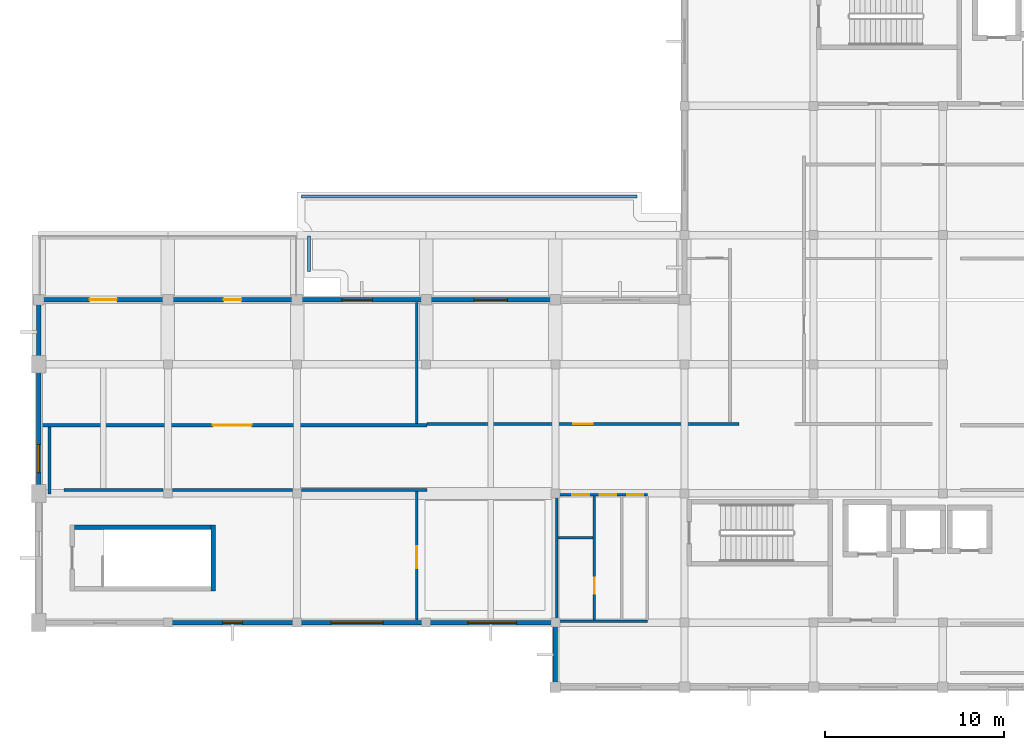
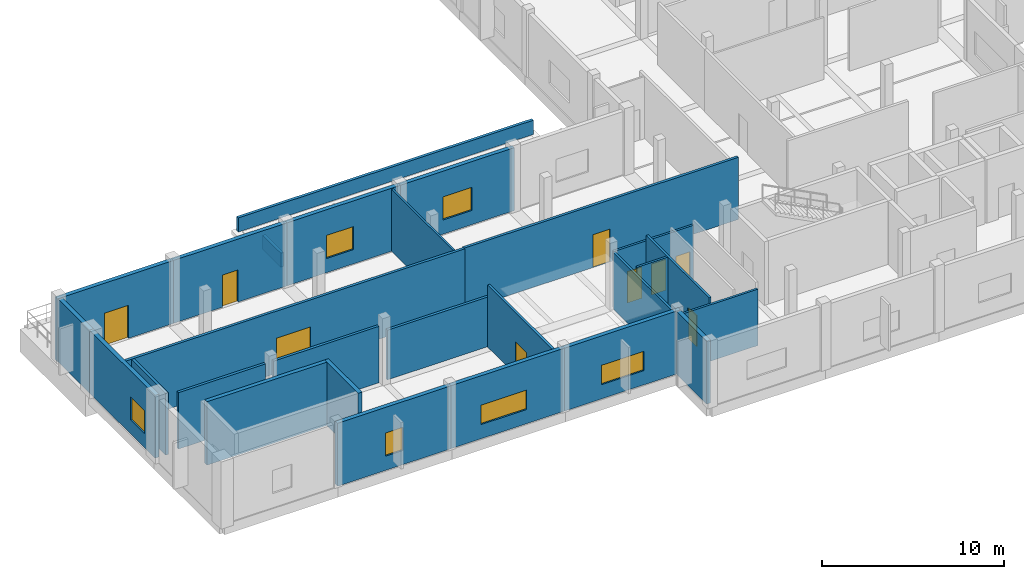
# One storey, part 3 of 9: 27 walls, 9 doors, 6 windows, 15 openings.
"""IFC4 building model written with IfcOpenShell, lengths in metres."""

from ifc_helpers import new_model, si_unit, direction, frame, frame_2d, origin, place, context, subcontext, project, spatial, rectangle, extrude, material, layer, layer_set, type_object, element, fill, save


model = new_model("IFC4")

# Units and contexts
model_context = context("Model", 3, precision=1e-05, world=origin(), true_north=direction((0.0, 1.0)))
body_context = subcontext(model_context, "Body", "Model", "MODEL_VIEW")
ifc_project = project(units=[si_unit("LENGTHUNIT", "METRE"), si_unit("AREAUNIT", "SQUARE_METRE"), si_unit("VOLUMEUNIT", "CUBIC_METRE"), si_unit("PLANEANGLEUNIT", "RADIAN"), si_unit("MASSUNIT", "GRAM", prefix="KILO")], contexts=[model_context])

# Site, building, storey
site_placement = place(None, origin())
site = spatial("IfcSite", under=ifc_project, at=site_placement, CompositionType="ELEMENT")
building_placement = place(site_placement, origin())
building = spatial("IfcBuilding", under=site, at=building_placement, Name="Seraya Terrace Polytechnic", CompositionType="ELEMENT")
storey_placement = place(building_placement, frame((0.0, 0.0, 32.39990234375)))
storey = spatial("IfcBuildingStorey", under=building, at=storey_placement, Name="L07", CompositionType="ELEMENT", Elevation=32.39990234375)

# Wall
ifc_material_1 = material(Name="Precast concrete C40/50", Category="concrete")
ifc_layer_1 = layer(ifc_material_1, 0.260009765625, Name="EW-03")
ifc_layer_set_1 = layer_set([ifc_layer_1], Name="Precast concrete C40/50")
wall_type_1 = type_object("IfcWallType", Name="EW-03", PredefinedType="SOLIDWALL", material=ifc_layer_set_1)
wall_1_placement = place(storey_placement, frame((72.0, 3.751953125, 0.0), z_axis=(0.0, 0.0, 1.0), x_axis=(0.0, 1.0, 0.0)))
element("IfcWall", 1, at=wall_1_placement, inside=storey, type_object=wall_type_1, Name="Exterior structural wall EW-03 L07", PredefinedType="SOLIDWALL", context=body_context, shape_type="SweptSolid", body=[
    extrude(rectangle(XDim=3.296142578125, YDim=0.260009765625, at=frame_2d((1.64794921875, 0.0))), origin(), (0.0, 0.0, 1.0), 4.22021484375),
])

# Wall, opening, window
wall_2_placement = place(storey_placement, frame((72.14990234375, 7.199951171875, 0.0), z_axis=(0.0, 0.0, 1.0), x_axis=(-1.0, 0.0, 0.0)))
wall_2 = element("IfcWall", 2, at=wall_2_placement, inside=storey, type_object=wall_type_1, Name="Exterior structural wall EW-03 L07", PredefinedType="SOLIDWALL", context=body_context, shape_type="SweptSolid", body=[
    extrude(rectangle(XDim=7.349853515625, YDim=0.260009765625, at=frame_2d((3.6748046875, 0.0))), origin(), (0.0, 0.0, 1.0), 4.22021484375),
])
opening_1_placement = place(wall_2_placement, frame((2.324951171875, 0.0, 0.949951171875)))
opening_1 = element("IfcOpeningElement", 3, at=opening_1_placement, cuts=wall_2, Name="Opening WN-11", PredefinedType="OPENING", context=body_context, shape_type="SweptSolid", body=[
    extrude(rectangle(XDim=2.699951171875, YDim=1.300048828125, at=frame_2d((1.35009765625, 0.64990234375))), frame((0.0, 0.14208984375, 0.0), z_axis=(0.0, -1.0, 0.0), x_axis=(1.0, 0.0, 0.0)), (0.0, 0.0, 1.0), 0.283935546875),
])
ifc_material_2 = material(Name="Laminated solar-control Low-E double glazing", Category="glass")
window_type_1 = type_object("IfcWindowType", Name="WN-11", PartitioningType="SINGLE_PANEL", PredefinedType="WINDOW", material=ifc_material_2)
window_1_placement = place(opening_1_placement, origin())
window_1 = element("IfcWindow", 4, at=window_1_placement, inside=storey, type_object=window_type_1, Name="Exterior window WN-11 L07", OverallHeight=1.300048828125, OverallWidth=2.699951171875, PartitioningType="SINGLE_PANEL", PredefinedType="WINDOW", context=body_context, shape_type="SweptSolid", body=[
    extrude(rectangle(XDim=2.699951171875, YDim=1.300048828125, at=frame_2d((1.35009765625, 0.64990234375))), frame((0.0, 0.030029296875, 0.0), z_axis=(0.0, -1.0, 0.0), x_axis=(1.0, 0.0, 0.0)), (0.0, 0.0, 1.0), 0.06005859375),
])
fill(opening_1, window_1)

wall_3_placement = place(storey_placement, frame((64.800048828125, 7.199951171875, 0.0), z_axis=(0.0, 0.0, 1.0), x_axis=(-1.0, 0.0, 0.0)))
wall_3 = element("IfcWall", 5, at=wall_3_placement, inside=storey, type_object=wall_type_1, Name="Exterior structural wall EW-03 L07", PredefinedType="SOLIDWALL", context=body_context, shape_type="SweptSolid", body=[
    extrude(rectangle(XDim=7.199951171875, YDim=0.260009765625, at=frame_2d((3.60009765625, 0.0))), origin(), (0.0, 0.0, 1.0), 4.22021484375),
])
opening_2_placement = place(wall_3_placement, frame((2.4033203125, 0.0, 0.949951171875)))
opening_2 = element("IfcOpeningElement", 6, at=opening_2_placement, cuts=wall_3, Name="Opening WN-12", PredefinedType="OPENING", context=body_context, shape_type="SweptSolid", body=[
    extrude(rectangle(XDim=2.89990234375, YDim=1.300048828125, at=frame_2d((1.449951171875, 0.64990234375))), frame((0.0, 0.14208984375, 0.0), z_axis=(0.0, -1.0, 0.0), x_axis=(1.0, 0.0, 0.0)), (0.0, 0.0, 1.0), 0.283935546875),
])
window_type_2 = type_object("IfcWindowType", Name="WN-12", PartitioningType="SINGLE_PANEL", PredefinedType="WINDOW", material=ifc_material_2)
window_2_placement = place(opening_2_placement, origin())
window_2 = element("IfcWindow", 7, at=window_2_placement, inside=storey, type_object=window_type_2, Name="Exterior window WN-12 L07", OverallHeight=1.300048828125, OverallWidth=2.89990234375, PartitioningType="SINGLE_PANEL", PredefinedType="WINDOW", context=body_context, shape_type="SweptSolid", body=[
    extrude(rectangle(XDim=2.89990234375, YDim=1.300048828125, at=frame_2d((1.449951171875, 0.64990234375))), frame((0.0, 0.030029296875, 0.0), z_axis=(0.0, -1.0, 0.0), x_axis=(1.0, 0.0, 0.0)), (0.0, 0.0, 1.0), 0.06005859375),
])
fill(opening_2, window_2)

wall_4_placement = place(storey_placement, frame((57.60009765625, 7.199951171875, 0.0), z_axis=(0.0, 0.0, 1.0), x_axis=(-1.0, 0.0, 0.0)))
wall_4 = element("IfcWall", 8, at=wall_4_placement, inside=storey, type_object=wall_type_1, Name="Exterior structural wall EW-03 L07", PredefinedType="SOLIDWALL", context=body_context, shape_type="SweptSolid", body=[
    extrude(rectangle(XDim=7.2001953125, YDim=0.260009765625, at=frame_2d((3.60009765625, 0.0))), origin(), (0.0, 0.0, 1.0), 4.22021484375),
])
opening_3_placement = place(wall_4_placement, frame((3.050048828125, 0.0, 0.949951171875)))
opening_3 = element("IfcOpeningElement", 9, at=opening_3_placement, cuts=wall_4, Name="Opening WN-13", PredefinedType="OPENING", context=body_context, shape_type="SweptSolid", body=[
    extrude(rectangle(XDim=1.10009765625, YDim=1.550048828125, at=frame_2d((0.550048828125, 0.77490234375))), frame((0.0, 0.14208984375, 0.0), z_axis=(0.0, -1.0, 0.0), x_axis=(1.0, 0.0, 0.0)), (0.0, 0.0, 1.0), 0.283935546875),
])
window_type_3 = type_object("IfcWindowType", Name="WN-13", PartitioningType="SINGLE_PANEL", PredefinedType="WINDOW", material=ifc_material_2)
window_3_placement = place(opening_3_placement, origin())
window_3 = element("IfcWindow", 10, at=window_3_placement, inside=storey, type_object=window_type_3, Name="Exterior window WN-13 L07", OverallHeight=1.550048828125, OverallWidth=1.10009765625, PartitioningType="SINGLE_PANEL", PredefinedType="WINDOW", context=body_context, shape_type="SweptSolid", body=[
    extrude(rectangle(XDim=1.10009765625, YDim=1.550048828125, at=frame_2d((0.550048828125, 0.77490234375))), frame((0.0, 0.030029296875, 0.0), z_axis=(0.0, -1.0, 0.0), x_axis=(1.0, 0.0, 0.0)), (0.0, 0.0, 1.0), 0.06005859375),
])
fill(opening_3, window_3)

wall_5_placement = place(storey_placement, frame((43.199951171875, 14.39990234375, 0.0), z_axis=(0.0, 0.0, 1.0), x_axis=(0.0, 1.0, 0.0)))
wall_5 = element("IfcWall", 11, at=wall_5_placement, inside=storey, type_object=wall_type_1, Name="Exterior structural wall EW-03 L07", PredefinedType="SOLIDWALL", context=body_context, shape_type="SweptSolid", body=[
    extrude(rectangle(XDim=7.2001953125, YDim=0.260009765625, at=frame_2d((3.60009765625, 0.0))), origin(), (0.0, 0.0, 1.0), 4.22021484375),
])
opening_4_placement = place(wall_5_placement, frame((1.1650390625, 0.0, 0.949951171875)))
opening_4 = element("IfcOpeningElement", 12, at=opening_4_placement, cuts=wall_5, Name="Opening WN-16", PredefinedType="OPENING", context=body_context, shape_type="SweptSolid", body=[
    extrude(rectangle(XDim=1.550048828125, YDim=1.550048828125, at=frame_2d((0.77490234375, 0.77490234375))), frame((0.0, 0.14208984375, 0.0), z_axis=(0.0, -1.0, 0.0), x_axis=(1.0, 0.0, 0.0)), (0.0, 0.0, 1.0), 0.283935546875),
])
window_type_4 = type_object("IfcWindowType", Name="WN-16", PartitioningType="SINGLE_PANEL", PredefinedType="WINDOW", material=ifc_material_2)
window_4_placement = place(opening_4_placement, origin())
window_4 = element("IfcWindow", 13, at=window_4_placement, inside=storey, type_object=window_type_4, Name="Exterior window WN-16 L07", OverallHeight=1.550048828125, OverallWidth=1.550048828125, PartitioningType="SINGLE_PANEL", PredefinedType="WINDOW", context=body_context, shape_type="SweptSolid", body=[
    extrude(rectangle(XDim=1.550048828125, YDim=1.550048828125, at=frame_2d((0.77490234375, 0.77490234375))), frame((0.0, 0.030029296875, 0.0), z_axis=(0.0, -1.0, 0.0), x_axis=(1.0, 0.0, 0.0)), (0.0, 0.0, 1.0), 0.06005859375),
])
fill(opening_4, window_4)

# Wall
wall_6_placement = place(storey_placement, frame((43.199951171875, 21.60009765625, 0.0), z_axis=(0.0, 0.0, 1.0), x_axis=(0.0, 1.0, 0.0)))
element("IfcWall", 14, at=wall_6_placement, inside=storey, type_object=wall_type_1, Name="Exterior structural wall EW-03 L07", PredefinedType="SOLIDWALL", context=body_context, shape_type="SweptSolid", body=[
    extrude(rectangle(XDim=3.433837890625, YDim=0.260009765625, at=frame_2d((1.716796875, 0.0))), origin(), (0.0, 0.0, 1.0), 4.22021484375),
])

# Wall, opening, door
wall_7_placement = place(storey_placement, frame((43.050048828125, 25.199951171875, 0.0), z_axis=(0.0, 0.0, 1.0), x_axis=(1.0, 0.0, 0.0)))
wall_7 = element("IfcWall", 15, at=wall_7_placement, inside=storey, type_object=wall_type_1, Name="Exterior structural wall EW-03 L07", PredefinedType="SOLIDWALL", context=body_context, shape_type="SweptSolid", body=[
    extrude(rectangle(XDim=7.349853515625, YDim=0.260009765625, at=frame_2d((3.6748046875, 0.0))), origin(), (0.0, 0.0, 1.0), 4.22021484375),
])
opening_5_placement = place(wall_7_placement, frame((2.989990234375, 0.0, 0.0)))
opening_5 = element("IfcOpeningElement", 16, at=opening_5_placement, cuts=wall_7, Name="Opening TD-04", PredefinedType="OPENING", context=body_context, shape_type="SweptSolid", body=[
    extrude(rectangle(XDim=1.52001953125, YDim=2.219970703125, at=frame_2d((0.760009765625, 1.10986328125))), frame((0.0, 0.14208984375, 0.0), z_axis=(0.0, -1.0, 0.0), x_axis=(1.0, 0.0, 0.0)), (0.0, 0.0, 1.0), 0.283935546875),
])
ifc_material_3 = material(Name="Anodised aluminium EN AW-6063 T6", Category="aluminium")
door_type_1 = type_object("IfcDoorType", Name="TD-04", OperationType="DOUBLE_DOOR_SINGLE_SWING", PredefinedType="DOOR", material=ifc_material_3)
door_1_placement = place(opening_5_placement, origin())
door_1 = element("IfcDoor", 17, at=door_1_placement, inside=storey, type_object=door_type_1, Name="Door TD-04 DR-TERR-L07-04-00 in WL-EXT-L07-04-00", OperationType="DOUBLE_DOOR_SINGLE_SWING", OverallHeight=2.219970703125, OverallWidth=1.52001953125, PredefinedType="DOOR", context=body_context, shape_type="SweptSolid", body=[
    extrude(rectangle(XDim=1.52001953125, YDim=2.219970703125, at=frame_2d((0.760009765625, 1.10986328125))), frame((0.0, 0.02490234375, 0.0), z_axis=(0.0, -1.0, 0.0), x_axis=(1.0, 0.0, 0.0)), (0.0, 0.0, 1.0), 0.050048828125),
])
fill(opening_5, door_1)

wall_8_placement = place(storey_placement, frame((50.39990234375, 25.199951171875, 0.0), z_axis=(0.0, 0.0, 1.0), x_axis=(1.0, 0.0, 0.0)))
wall_8 = element("IfcWall", 18, at=wall_8_placement, inside=storey, type_object=wall_type_1, Name="Exterior structural wall EW-03 L07", PredefinedType="SOLIDWALL", context=body_context, shape_type="SweptSolid", body=[
    extrude(rectangle(XDim=7.2001953125, YDim=0.260009765625, at=frame_2d((3.60009765625, 0.0))), origin(), (0.0, 0.0, 1.0), 4.22021484375),
])
opening_6_placement = place(wall_8_placement, frame((3.10009765625, 0.0, 0.0)))
opening_6 = element("IfcOpeningElement", 19, at=opening_6_placement, cuts=wall_8, Name="Opening TD-01", PredefinedType="OPENING", context=body_context, shape_type="SweptSolid", body=[
    extrude(rectangle(XDim=1.0, YDim=2.14990234375, at=frame_2d((0.5, 1.074951171875))), frame((0.0, 0.14208984375, 0.0), z_axis=(0.0, -1.0, 0.0), x_axis=(1.0, 0.0, 0.0)), (0.0, 0.0, 1.0), 0.283935546875),
])
door_type_2 = type_object("IfcDoorType", Name="TD-01", OperationType="NOTDEFINED", PredefinedType="DOOR", material=ifc_material_3)
door_2_placement = place(opening_6_placement, origin())
door_2 = element("IfcDoor", 20, at=door_2_placement, inside=storey, type_object=door_type_2, Name="Door TD-01 DR-TERR-L07-04-01 in WL-EXT-L07-04-01", OperationType="SINGLE_SWING_RIGHT", OverallHeight=2.14990234375, OverallWidth=1.0, PredefinedType="DOOR", context=body_context, shape_type="SweptSolid", body=[
    extrude(rectangle(XDim=1.0, YDim=2.14990234375, at=frame_2d((0.5, 1.074951171875))), frame((0.0, 0.02490234375, 0.0), z_axis=(0.0, -1.0, 0.0), x_axis=(1.0, 0.0, 0.0)), (0.0, 0.0, 1.0), 0.050048828125),
])
fill(opening_6, door_2)

# Wall, opening, window
wall_9_placement = place(storey_placement, frame((57.60009765625, 25.199951171875, 0.0), z_axis=(0.0, 0.0, 1.0), x_axis=(1.0, 0.0, 0.0)))
wall_9 = element("IfcWall", 21, at=wall_9_placement, inside=storey, type_object=wall_type_1, Name="Exterior structural wall EW-03 L07", PredefinedType="SOLIDWALL", context=body_context, shape_type="SweptSolid", body=[
    extrude(rectangle(XDim=7.199951171875, YDim=0.260009765625, at=frame_2d((3.60009765625, 0.0))), origin(), (0.0, 0.0, 1.0), 4.22021484375),
])
opening_7_placement = place(wall_9_placement, frame((2.49658203125, 0.0, 0.949951171875)))
opening_7 = element("IfcOpeningElement", 22, at=opening_7_placement, cuts=wall_9, Name="Opening WN-17", PredefinedType="OPENING", context=body_context, shape_type="SweptSolid", body=[
    extrude(rectangle(XDim=1.699951171875, YDim=1.550048828125, at=frame_2d((0.85009765625, 0.77490234375))), frame((0.0, 0.14208984375, 0.0), z_axis=(0.0, -1.0, 0.0), x_axis=(1.0, 0.0, 0.0)), (0.0, 0.0, 1.0), 0.283935546875),
])
window_type_5 = type_object("IfcWindowType", Name="WN-17", PartitioningType="SINGLE_PANEL", PredefinedType="WINDOW", material=ifc_material_2)
window_5_placement = place(opening_7_placement, origin())
window_5 = element("IfcWindow", 23, at=window_5_placement, inside=storey, type_object=window_type_5, Name="Exterior window WN-17 L07", OverallHeight=1.550048828125, OverallWidth=1.699951171875, PartitioningType="SINGLE_PANEL", PredefinedType="WINDOW", context=body_context, shape_type="SweptSolid", body=[
    extrude(rectangle(XDim=1.699951171875, YDim=1.550048828125, at=frame_2d((0.85009765625, 0.77490234375))), frame((0.0, 0.030029296875, 0.0), z_axis=(0.0, -1.0, 0.0), x_axis=(1.0, 0.0, 0.0)), (0.0, 0.0, 1.0), 0.06005859375),
])
fill(opening_7, window_5)

wall_10_placement = place(storey_placement, frame((64.800048828125, 25.199951171875, 0.0), z_axis=(0.0, 0.0, 1.0), x_axis=(1.0, 0.0, 0.0)))
wall_10 = element("IfcWall", 24, at=wall_10_placement, inside=storey, type_object=wall_type_1, Name="Exterior structural wall EW-03 L07", PredefinedType="SOLIDWALL", context=body_context, shape_type="SweptSolid", body=[
    extrude(rectangle(XDim=7.199951171875, YDim=0.260009765625, at=frame_2d((3.60009765625, 0.0))), origin(), (0.0, 0.0, 1.0), 4.22021484375),
])
opening_8_placement = place(wall_10_placement, frame((2.675048828125, 0.0, 0.949951171875)))
opening_8 = element("IfcOpeningElement", 25, at=opening_8_placement, cuts=wall_10, Name="Opening WN-18", PredefinedType="OPENING", context=body_context, shape_type="SweptSolid", body=[
    extrude(rectangle(XDim=1.85009765625, YDim=1.550048828125, at=frame_2d((0.925048828125, 0.77490234375))), frame((0.0, 0.14208984375, 0.0), z_axis=(0.0, -1.0, 0.0), x_axis=(1.0, 0.0, 0.0)), (0.0, 0.0, 1.0), 0.283935546875),
])
window_type_6 = type_object("IfcWindowType", Name="WN-18", PartitioningType="SINGLE_PANEL", PredefinedType="WINDOW", material=ifc_material_2)
window_6_placement = place(opening_8_placement, origin())
window_6 = element("IfcWindow", 26, at=window_6_placement, inside=storey, type_object=window_type_6, Name="Exterior window WN-18 L07", OverallHeight=1.550048828125, OverallWidth=1.85009765625, PartitioningType="SINGLE_PANEL", PredefinedType="WINDOW", context=body_context, shape_type="SweptSolid", body=[
    extrude(rectangle(XDim=1.85009765625, YDim=1.550048828125, at=frame_2d((0.925048828125, 0.77490234375))), frame((0.0, 0.030029296875, 0.0), z_axis=(0.0, -1.0, 0.0), x_axis=(1.0, 0.0, 0.0)), (0.0, 0.0, 1.0), 0.06005859375),
])
fill(opening_8, window_6)

# Wall, opening, door
ifc_material_4 = material(Name="Autoclaved aerated concrete blockwork", Category="masonry")
ifc_layer_2 = layer(ifc_material_4, 0.169921875, Name="PT-02")
ifc_layer_set_2 = layer_set([ifc_layer_2], Name="Autoclaved aerated concrete blockwork")
wall_type_2 = type_object("IfcWallType", Name="PT-02", PredefinedType="PARTITIONING", material=ifc_layer_set_2)
wall_11_placement = place(storey_placement, frame((43.342041015625, 18.199951171875, 0.0), z_axis=(0.0, 0.0, 1.0), x_axis=(1.0, 0.0, 0.0)))
wall_11 = element("IfcWall", 27, at=wall_11_placement, inside=storey, type_object=wall_type_2, Name="Internal partition PT-02 L07", PredefinedType="PARTITIONING", context=body_context, shape_type="SweptSolid", body=[
    extrude(rectangle(XDim=21.502685546875, YDim=0.169921875, at=frame_2d((10.75146484375, 0.0))), origin(), (0.0, 0.0, 1.0), 4.16015625),
])
opening_9_placement = place(wall_11_placement, frame((9.5625, 0.0, 0.0)))
opening_9 = element("IfcOpeningElement", 28, at=opening_9_placement, cuts=wall_11, Name="Opening ID-18", PredefinedType="OPENING", context=body_context, shape_type="SweptSolid", body=[
    extrude(rectangle(XDim=2.159912109375, YDim=2.35009765625, at=frame_2d((1.080078125, 1.175048828125))), frame((0.0, 0.096923828125, 0.0), z_axis=(0.0, -1.0, 0.0), x_axis=(1.0, 0.0, 0.0)), (0.0, 0.0, 1.0), 0.19384765625),
])
ifc_material_5 = material(Name="Malaysian dark red meranti hardwood timber D40", Category="wood")
door_type_3 = type_object("IfcDoorType", Name="ID-18", OperationType="DOUBLE_DOOR_SINGLE_SWING", PredefinedType="DOOR", material=ifc_material_5)
door_3_placement = place(opening_9_placement, frame((2.159912109375, 0.0, 0.0), z_axis=(0.0, 0.0, 1.0), x_axis=(-1.0, 0.0, 0.0)))
door_3 = element("IfcDoor", 29, at=door_3_placement, inside=storey, type_object=door_type_3, Name="Door ID-18 DR-INT-L07-0271 in WL-INT-L07-0779", OperationType="DOUBLE_DOOR_SINGLE_SWING", OverallHeight=2.35009765625, OverallWidth=2.159912109375, PredefinedType="DOOR", context=body_context, shape_type="SweptSolid", body=[
    extrude(rectangle(XDim=2.159912109375, YDim=2.35009765625, at=frame_2d((1.080078125, 1.175048828125))), frame((0.0, 0.02490234375, 0.0), z_axis=(0.0, -1.0, 0.0), x_axis=(1.0, 0.0, 0.0)), (0.0, 0.0, 1.0), 0.050048828125),
])
fill(opening_9, door_3)

# Walls
wall_12_placement = place(storey_placement, frame((57.860107421875, 14.60009765625, 0.0), z_axis=(0.0, 0.0, 1.0), x_axis=(1.0, 0.0, 0.0)))
element("IfcWall", 30, at=wall_12_placement, inside=storey, type_object=wall_type_2, Name="Internal partition PT-02 L07", PredefinedType="PARTITIONING", context=body_context, shape_type="SweptSolid", body=[
    extrude(rectangle(XDim=6.984619140625, YDim=0.169921875, at=frame_2d((3.4921875, 0.0))), origin(), (0.0, 0.0, 1.0), 3.330078125),
])
wall_13_placement = place(storey_placement, frame((50.659912109375, 14.60009765625, 0.0), z_axis=(0.0, 0.0, 1.0), x_axis=(1.0, 0.0, 0.0)))
element("IfcWall", 31, at=wall_13_placement, inside=storey, type_object=wall_type_2, Name="Internal partition PT-02 L07", PredefinedType="PARTITIONING", context=body_context, shape_type="SweptSolid", body=[
    extrude(rectangle(XDim=6.68017578125, YDim=0.169921875, at=frame_2d((3.340087890625, 0.0))), origin(), (0.0, 0.0, 1.0), 3.780029296875),
])
wall_14_placement = place(storey_placement, frame((44.618408203125, 14.60009765625, 0.0), z_axis=(0.0, 0.0, 1.0), x_axis=(1.0, 0.0, 0.0)))
element("IfcWall", 32, at=wall_14_placement, inside=storey, type_object=wall_type_2, Name="Internal partition PT-02 L07", PredefinedType="PARTITIONING", context=body_context, shape_type="SweptSolid", body=[
    extrude(rectangle(XDim=5.521484375, YDim=0.169921875, at=frame_2d((2.7607421875, 0.0))), origin(), (0.0, 0.0, 1.0), 3.780029296875),
])
wall_15_placement = place(storey_placement, frame((43.800048828125, 14.360107421875, 0.0), z_axis=(0.0, 0.0, 1.0), x_axis=(0.0, 1.0, 0.0)))
element("IfcWall", 33, at=wall_15_placement, inside=storey, type_object=wall_type_2, Name="Internal partition PT-02 L07", PredefinedType="PARTITIONING", context=body_context, shape_type="SweptSolid", body=[
    extrude(rectangle(XDim=3.739990234375, YDim=0.169921875, at=frame_2d((1.8701171875, 0.0))), origin(), (0.0, 0.0, 1.0), 4.16015625),
])

# Wall, opening, door
wall_16_placement = place(storey_placement, frame((64.8447265625, 18.27001953125, 0.0), z_axis=(0.0, 0.0, 1.0), x_axis=(1.0, 0.0, 0.0)))
wall_16 = element("IfcWall", 34, at=wall_16_placement, inside=storey, type_object=wall_type_2, Name="Internal partition PT-02 L07", PredefinedType="PARTITIONING", context=body_context, shape_type="SweptSolid", body=[
    extrude(rectangle(XDim=17.388916015625, YDim=0.169921875, at=frame_2d((8.6943359375, 0.0))), origin(), (0.0, 0.0, 1.0), 4.16015625),
])
opening_10_placement = place(wall_16_placement, frame((8.154296875, 0.0, 0.0)))
opening_10 = element("IfcOpeningElement", 35, at=opening_10_placement, cuts=wall_16, Name="Opening ID-05", PredefinedType="OPENING", context=body_context, shape_type="SweptSolid", body=[
    extrude(rectangle(XDim=1.080078125, YDim=2.199951171875, at=frame_2d((0.5400390625, 1.10009765625))), frame((0.0, 0.096923828125, 0.0), z_axis=(0.0, -1.0, 0.0), x_axis=(1.0, 0.0, 0.0)), (0.0, 0.0, 1.0), 0.19384765625),
])
door_type_4 = type_object("IfcDoorType", Name="ID-05", OperationType="NOTDEFINED", PredefinedType="DOOR", material=ifc_material_5)
door_4_placement = place(opening_10_placement, origin())
door_4 = element("IfcDoor", 36, at=door_4_placement, inside=storey, type_object=door_type_4, Name="Door ID-05 DR-INT-L07-0274 in WL-INT-L07-0784", OperationType="SINGLE_SWING_LEFT", OverallHeight=2.199951171875, OverallWidth=1.080078125, PredefinedType="DOOR", context=body_context, shape_type="SweptSolid", body=[
    extrude(rectangle(XDim=1.080078125, YDim=2.199951171875, at=frame_2d((0.5400390625, 1.10009765625))), frame((0.0, 0.02490234375, 0.0), z_axis=(0.0, -1.0, 0.0), x_axis=(1.0, 0.0, 0.0)), (0.0, 0.0, 1.0), 0.050048828125),
])
fill(opening_10, door_4)

ifc_layer_3 = layer(ifc_material_4, 0.14990234375, Name="PT-03")
ifc_layer_set_3 = layer_set([ifc_layer_3], Name="Autoclaved aerated concrete blockwork")
wall_type_3 = type_object("IfcWallType", Name="PT-03", PredefinedType="PARTITIONING", material=ifc_layer_set_3)
wall_17_placement = place(storey_placement, frame((64.273193359375, 7.342041015625, 0.0), z_axis=(0.0, 0.0, 1.0), x_axis=(0.0, 1.0, 0.0)))
wall_17 = element("IfcWall", 37, at=wall_17_placement, inside=storey, type_object=wall_type_3, Name="Internal partition PT-03 L07", PredefinedType="PARTITIONING", context=body_context, shape_type="SweptSolid", body=[
    extrude(rectangle(XDim=7.157958984375, YDim=0.14990234375, at=frame_2d((3.5791015625, 0.0))), origin(), (0.0, 0.0, 1.0), 4.16015625),
])
opening_11_placement = place(wall_17_placement, frame((2.885009765625, 0.0, 0.0)))
opening_11 = element("IfcOpeningElement", 38, at=opening_11_placement, cuts=wall_17, Name="Opening ID-07", PredefinedType="OPENING", context=body_context, shape_type="SweptSolid", body=[
    extrude(rectangle(XDim=1.219970703125, YDim=2.219970703125, at=frame_2d((0.60986328125, 1.10986328125))), frame((0.0, 0.0869140625, 0.0), z_axis=(0.0, -1.0, 0.0), x_axis=(1.0, 0.0, 0.0)), (0.0, 0.0, 1.0), 0.173828125),
])
door_type_5 = type_object("IfcDoorType", Name="ID-07", OperationType="NOTDEFINED", PredefinedType="DOOR", material=ifc_material_5)
door_5_placement = place(opening_11_placement, origin())
door_5 = element("IfcDoor", 39, at=door_5_placement, inside=storey, type_object=door_type_5, Name="Door ID-07 DR-INT-L07-0276 in WL-INT-L07-0796", OperationType="SINGLE_SWING_LEFT", OverallHeight=2.219970703125, OverallWidth=1.219970703125, PredefinedType="DOOR", context=body_context, shape_type="SweptSolid", body=[
    extrude(rectangle(XDim=1.219970703125, YDim=2.219970703125, at=frame_2d((0.60986328125, 1.10986328125))), frame((0.0, 0.02490234375, 0.0), z_axis=(0.0, -1.0, 0.0), x_axis=(1.0, 0.0, 0.0)), (0.0, 0.0, 1.0), 0.050048828125),
])
fill(opening_11, door_5)

# Wall
ifc_layer_4 = layer(ifc_material_4, 0.139892578125, Name="PT-04")
ifc_layer_set_4 = layer_set([ifc_layer_4], Name="Autoclaved aerated concrete blockwork")
wall_type_4 = type_object("IfcWallType", Name="PT-04", PredefinedType="PARTITIONING", material=ifc_layer_set_4)
wall_18_placement = place(storey_placement, frame((72.070068359375, 7.27001953125, 0.0), z_axis=(0.0, 0.0, 1.0), x_axis=(1.0, 0.0, 0.0)))
element("IfcWall", 40, at=wall_18_placement, inside=storey, type_object=wall_type_4, Name="Sanitary WC-A South wall L07", PredefinedType="PARTITIONING", context=body_context, shape_type="SweptSolid", body=[
    extrude(rectangle(XDim=5.059814453125, YDim=0.139892578125, at=frame_2d((2.52978515625, 0.0))), origin(), (0.0, 0.0, 1.0), 3.780029296875),
])

# Wall, openings, doors
wall_19_placement = place(storey_placement, frame((72.070068359375, 14.330078125, 0.0), z_axis=(0.0, 0.0, 1.0), x_axis=(1.0, 0.0, 0.0)))
wall_19 = element("IfcWall", 41, at=wall_19_placement, inside=storey, type_object=wall_type_4, Name="Sanitary WC-A North wall L07", PredefinedType="PARTITIONING", context=body_context, shape_type="SweptSolid", body=[
    extrude(rectangle(XDim=5.059814453125, YDim=0.139892578125, at=frame_2d((2.52978515625, 0.0))), origin(), (0.0, 0.0, 1.0), 3.780029296875),
])
opening_12_placement = place(wall_19_placement, frame((0.8798828125, 0.0, 0.0)))
opening_12 = element("IfcOpeningElement", 42, at=opening_12_placement, cuts=wall_19, Name="Opening ID-01", PredefinedType="OPENING", context=body_context, shape_type="SweptSolid", body=[
    extrude(rectangle(XDim=0.93994140625, YDim=2.10009765625, at=frame_2d((0.469970703125, 1.050048828125))), frame((0.0, 0.08203125, 0.0), z_axis=(0.0, -1.0, 0.0), x_axis=(1.0, 0.0, 0.0)), (0.0, 0.0, 1.0), 0.163818359375),
])
opening_13_placement = place(wall_19_placement, frame((2.4150390625, 0.0, 0.0)))
opening_13 = element("IfcOpeningElement", 43, at=opening_13_placement, cuts=wall_19, Name="Opening ID-02", PredefinedType="OPENING", context=body_context, shape_type="SweptSolid", body=[
    extrude(rectangle(XDim=0.89990234375, YDim=2.080078125, at=frame_2d((0.449951171875, 1.0400390625))), frame((0.0, 0.08203125, 0.0), z_axis=(0.0, -1.0, 0.0), x_axis=(1.0, 0.0, 0.0)), (0.0, 0.0, 1.0), 0.163818359375),
])
opening_14_placement = place(wall_19_placement, frame((3.925048828125, 0.0, 0.0)))
opening_14 = element("IfcOpeningElement", 44, at=opening_14_placement, cuts=wall_19, Name="Opening ID-02", PredefinedType="OPENING", context=body_context, shape_type="SweptSolid", body=[
    extrude(rectangle(XDim=0.89990234375, YDim=2.080078125, at=frame_2d((0.449951171875, 1.0400390625))), frame((0.0, 0.08203125, 0.0), z_axis=(0.0, -1.0, 0.0), x_axis=(1.0, 0.0, 0.0)), (0.0, 0.0, 1.0), 0.163818359375),
])
door_type_6 = type_object("IfcDoorType", Name="ID-01", OperationType="NOTDEFINED", PredefinedType="DOOR", material=ifc_material_5)
door_6_placement = place(opening_12_placement, origin())
door_6 = element("IfcDoor", 45, at=door_6_placement, inside=storey, type_object=door_type_6, Name="Door ID-01 DR-WC-WC-A-L07-OKU in WL-WC-WC-A-L07-N", OperationType="SINGLE_SWING_LEFT", OverallHeight=2.10009765625, OverallWidth=0.93994140625, PredefinedType="DOOR", context=body_context, shape_type="SweptSolid", body=[
    extrude(rectangle(XDim=0.93994140625, YDim=2.10009765625, at=frame_2d((0.469970703125, 1.050048828125))), frame((0.0, 0.02490234375, 0.0), z_axis=(0.0, -1.0, 0.0), x_axis=(1.0, 0.0, 0.0)), (0.0, 0.0, 1.0), 0.050048828125),
])
fill(opening_12, door_6)
door_type_7 = type_object("IfcDoorType", Name="ID-02", OperationType="NOTDEFINED", PredefinedType="DOOR", material=ifc_material_5)
door_7_placement = place(opening_13_placement, frame((0.89990234375, 0.0, 0.0), z_axis=(0.0, 0.0, 1.0), x_axis=(-1.0, 0.0, 0.0)))
door_7 = element("IfcDoor", 46, at=door_7_placement, inside=storey, type_object=door_type_7, Name="Door ID-02 DR-WC-WC-A-L07-M in WL-WC-WC-A-L07-N", OperationType="SINGLE_SWING_RIGHT", OverallHeight=2.080078125, OverallWidth=0.89990234375, PredefinedType="DOOR", context=body_context, shape_type="SweptSolid", body=[
    extrude(rectangle(XDim=0.89990234375, YDim=2.080078125, at=frame_2d((0.449951171875, 1.0400390625))), frame((0.0, 0.02490234375, 0.0), z_axis=(0.0, -1.0, 0.0), x_axis=(1.0, 0.0, 0.0)), (0.0, 0.0, 1.0), 0.050048828125),
])
fill(opening_13, door_7)
door_8_placement = place(opening_14_placement, frame((0.89990234375, 0.0, 0.0), z_axis=(0.0, 0.0, 1.0), x_axis=(-1.0, 0.0, 0.0)))
door_8 = element("IfcDoor", 47, at=door_8_placement, inside=storey, type_object=door_type_7, Name="Door ID-02 DR-WC-WC-A-L07-F in WL-WC-WC-A-L07-N", OperationType="SINGLE_SWING_LEFT", OverallHeight=2.080078125, OverallWidth=0.89990234375, PredefinedType="DOOR", context=body_context, shape_type="SweptSolid", body=[
    extrude(rectangle(XDim=0.89990234375, YDim=2.080078125, at=frame_2d((0.449951171875, 1.0400390625))), frame((0.0, 0.02490234375, 0.0), z_axis=(0.0, -1.0, 0.0), x_axis=(1.0, 0.0, 0.0)), (0.0, 0.0, 1.0), 0.050048828125),
])
fill(opening_14, door_8)

# Wall
wall_20_placement = place(storey_placement, frame((72.070068359375, 7.35009765625, 0.0), z_axis=(0.0, 0.0, 1.0), x_axis=(0.0, 1.0, 0.0)))
element("IfcWall", 48, at=wall_20_placement, inside=storey, type_object=wall_type_4, Name="Sanitary WC-A West wall L07", PredefinedType="PARTITIONING", context=body_context, shape_type="SweptSolid", body=[
    extrude(rectangle(XDim=6.89990234375, YDim=0.139892578125, at=frame_2d((3.449951171875, 0.0))), origin(), (0.0, 0.0, 1.0), 3.780029296875),
])

# Wall, opening, door
wall_21_placement = place(storey_placement, frame((74.179931640625, 7.35009765625, 0.0), z_axis=(0.0, 0.0, 1.0), x_axis=(0.0, 1.0, 0.0)))
wall_21 = element("IfcWall", 49, at=wall_21_placement, inside=storey, type_object=wall_type_4, Name="Sanitary WC-A OKU/Male divider L07", PredefinedType="PARTITIONING", context=body_context, shape_type="SweptSolid", body=[
    extrude(rectangle(XDim=6.89990234375, YDim=0.139892578125, at=frame_2d((3.449951171875, 0.0))), origin(), (0.0, 0.0, 1.0), 4.16015625),
])
opening_15_placement = place(wall_21_placement, frame((1.449951171875, 0.0, 0.0)))
opening_15 = element("IfcOpeningElement", 50, at=opening_15_placement, cuts=wall_21, Name="Opening ID-02", PredefinedType="OPENING", context=body_context, shape_type="SweptSolid", body=[
    extrude(rectangle(XDim=0.89990234375, YDim=2.080078125, at=frame_2d((0.449951171875, 1.0400390625))), frame((0.0, 0.08203125, 0.0), z_axis=(0.0, -1.0, 0.0), x_axis=(1.0, 0.0, 0.0)), (0.0, 0.0, 1.0), 0.163818359375),
])
door_9_placement = place(opening_15_placement, origin())
door_9 = element("IfcDoor", 51, at=door_9_placement, inside=storey, type_object=door_type_7, Name="Door ID-02 DR-WC-WC-A-L07-CLN in WL-WC-WC-A-L07-D1", OperationType="SINGLE_SWING_RIGHT", OverallHeight=2.080078125, OverallWidth=0.89990234375, PredefinedType="DOOR", context=body_context, shape_type="SweptSolid", body=[
    extrude(rectangle(XDim=0.89990234375, YDim=2.080078125, at=frame_2d((0.449951171875, 1.0400390625))), frame((0.0, 0.02490234375, 0.0), z_axis=(0.0, -1.0, 0.0), x_axis=(1.0, 0.0, 0.0)), (0.0, 0.0, 1.0), 0.050048828125),
])
fill(opening_15, door_9)

# Walls
wall_22_placement = place(storey_placement, frame((72.14990234375, 11.919921875, 0.0), z_axis=(0.0, 0.0, 1.0), x_axis=(1.0, 0.0, 0.0)))
element("IfcWall", 52, at=wall_22_placement, inside=storey, type_object=wall_type_4, Name="Sanitary WC-A OKU/Cleaner divider L07", PredefinedType="PARTITIONING", context=body_context, shape_type="SweptSolid", body=[
    extrude(rectangle(XDim=1.9501953125, YDim=0.139892578125, at=frame_2d((0.97509765625, 0.0))), origin(), (0.0, 0.0, 1.0), 4.16015625),
])
ifc_layer_5 = layer(ifc_material_4, 0.1201171875, Name="PT-05")
ifc_layer_set_5 = layer_set([ifc_layer_5], Name="Autoclaved aerated concrete blockwork")
wall_type_5 = type_object("IfcWallType", Name="PT-05", PredefinedType="PARTITIONING", material=ifc_layer_set_5)
wall_23_placement = place(storey_placement, frame((64.273193359375, 18.300048828125, 0.0), z_axis=(0.0, 0.0, 1.0), x_axis=(0.0, 1.0, 0.0)))
element("IfcWall", 53, at=wall_23_placement, inside=storey, type_object=wall_type_5, Name="Internal partition PT-05 L07", PredefinedType="PARTITIONING", context=body_context, shape_type="SweptSolid", body=[
    extrude(rectangle(XDim=6.758056640625, YDim=0.1201171875, at=frame_2d((3.37890625, 0.0))), origin(), (0.0, 0.0, 1.0), 4.16015625),
])
ifc_layer_6 = layer(ifc_material_1, 0.179931640625, Name="PW-P2")
ifc_layer_set_6 = layer_set([ifc_layer_6], Name="Precast concrete C40/50")
wall_type_6 = type_object("IfcWallType", Name="PW-P2", PredefinedType="PARAPET", material=ifc_layer_set_6)
wall_24_placement = place(storey_placement, frame((57.85009765625, 30.949951171875, 0.0), z_axis=(0.0, 0.0, 1.0), x_axis=(1.0, 0.0, 0.0)))
element("IfcWall", 54, at=wall_24_placement, inside=storey, type_object=wall_type_6, Name="Roof parapet ROOF-L07-COURTRIM 2.1", PredefinedType="PARAPET", context=body_context, shape_type="SweptSolid", body=[
    extrude(rectangle(XDim=18.699951171875, YDim=0.179931640625, at=frame_2d((9.35009765625, 0.0))), origin(), (0.0, 0.0, 1.0), 0.9501953125),
])
wall_25_placement = place(storey_placement, frame((58.26953125, 26.760009765625, 0.0), z_axis=(0.0, 0.0, 1.0), x_axis=(-0.001585363861, 0.99999874331, 0.0)))
element("IfcWall", 55, at=wall_25_placement, inside=storey, type_object=wall_type_6, Name="Roof parapet ROOF-L07-COURTRIM 16.1", PredefinedType="PARAPET", context=body_context, shape_type="SweptSolid", body=[
    extrude(rectangle(XDim=2.001953125, YDim=0.179931640625, at=frame_2d((1.0009765625, 0.0))), origin(), (0.0, 0.0, 1.0), 0.9501953125),
])
ifc_material_6 = material(Name="Concrete C40/50", Category="concrete")
ifc_layer_7 = layer(ifc_material_6, 0.25, Name="SW-02")
ifc_layer_set_7 = layer_set([ifc_layer_7], Name="Concrete C40/50")
wall_type_7 = type_object("IfcWallType", Name="SW-02", PredefinedType="SHEAR", material=ifc_layer_set_7)
wall_26_placement = place(storey_placement, frame((52.925048828125, 8.949951171875, 0.0), z_axis=(0.0, 0.0, 1.0), x_axis=(0.0, 1.0, 0.0)))
element("IfcWall", 56, at=wall_26_placement, inside=storey, type_object=wall_type_7, Name="Stairwell ST-03 East wall L07", PredefinedType="SHEAR", context=body_context, shape_type="SweptSolid", body=[
    extrude(rectangle(XDim=3.699951171875, YDim=0.25, at=frame_2d((1.85009765625, 0.0))), origin(), (0.0, 0.0, 1.0), 4.25),
])
wall_27_placement = place(storey_placement, frame((45.199951171875, 12.52490234375, 0.0), z_axis=(0.0, 0.0, 1.0), x_axis=(1.0, 0.0, 0.0)))
element("IfcWall", 57, at=wall_27_placement, inside=storey, type_object=wall_type_7, Name="Stairwell ST-03 North wall L07", PredefinedType="SHEAR", context=body_context, shape_type="SweptSolid", body=[
    extrude(rectangle(XDim=7.60009765625, YDim=0.25, at=frame_2d((3.800048828125, 0.0))), origin(), (0.0, 0.0, 1.0), 4.25),
])

save(model, "model.ifc")
